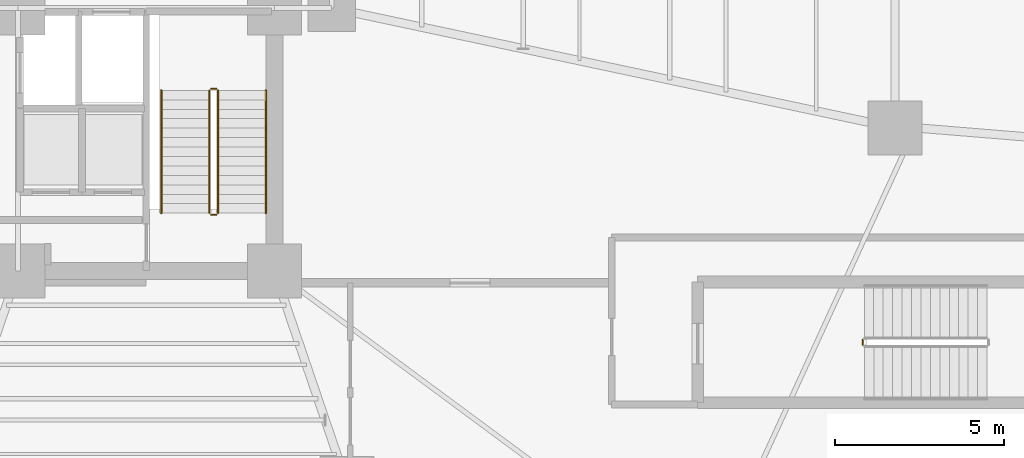
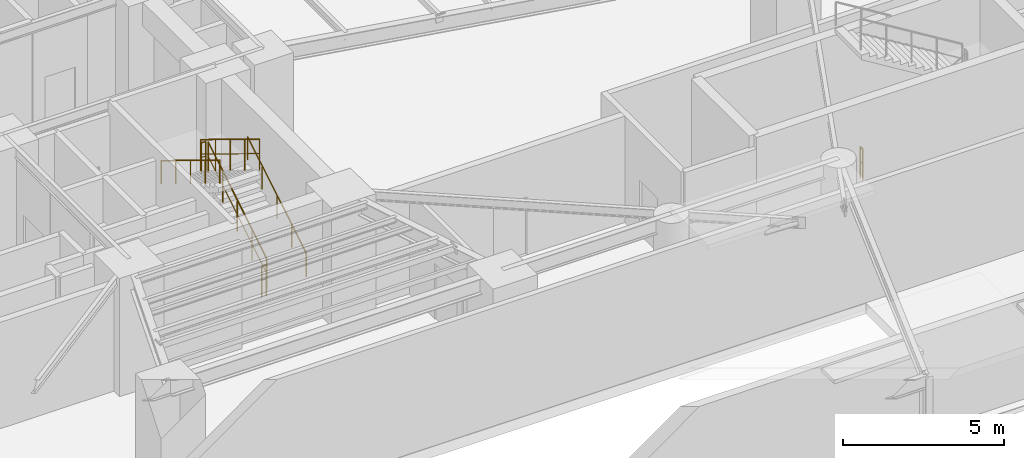
# One storey, part 24 of 31: 7 railings.
"""IFC4 building model written with IfcOpenShell, lengths in metres."""

import ifcopenshell
import ifcopenshell.guid

model = None  # the IFC model being written
_history = None  # IfcOwnerHistory: only IFC2X3 demands one
_inside = {}  # id of a spatial element -> (the spatial element, [elements in it])
_under = {}  # id of a project, library or spatial element -> (it, [spatial elements below it])
_declared = {}  # id of a project -> (the project, [libraries it declares])
_typed = {}  # id of a type object -> (the type object, [elements of that type])
_made_of = {}  # id of a material, layer set ... -> (it, [elements and type objects made of it])


def new_model(schema):
    """Start an empty IFC model of exactly this schema.

    Asked for "IFC4X3", IfcOpenShell would pick the latest addendum, in which some entities
    have other attributes; the version numbers below select the first issue.
    IFC2X3 requires an IfcOwnerHistory on every rooted entity: one is made here for all.
    """
    global model, _history
    if schema == "IFC4X3":
        model = ifcopenshell.file(schema_version=(4, 3, 0, 0))
    else:
        model = ifcopenshell.file(schema=schema)
    _inside.clear()
    _under.clear()
    _declared.clear()
    _typed.clear()
    _made_of.clear()
    _history = None
    if model.schema == "IFC2X3":
        org = make("IfcOrganization", Name="unknown")
        user = make(
            "IfcPersonAndOrganization",
            ThePerson=make("IfcPerson", FamilyName="unknown"),
            TheOrganization=org,
        )
        app = make(
            "IfcApplication",
            ApplicationDeveloper=org,
            Version="unknown",
            ApplicationFullName="unknown",
            ApplicationIdentifier="unknown",
        )
        _history = make(
            "IfcOwnerHistory",
            OwningUser=user,
            OwningApplication=app,
            ChangeAction="ADDED",
            CreationDate=0,
        )
    return model


def make(cls, **values):
    """One entity of the class cls with the attributes given. An attribute that is None is left unset."""
    return model.create_entity(
        cls, **{name: value for name, value in values.items() if value is not None}
    )


def rooted(cls, **values):
    """An entity with a GlobalId (a new one), such as an element, a storey or a relation."""
    return make(cls, GlobalId=ifcopenshell.guid.new(), OwnerHistory=_history, **values)


def si_unit(unit_type, name, prefix=None):
    """IfcSIUnit, for example si_unit("LENGTHUNIT", "METRE", prefix="MILLI")."""
    return make("IfcSIUnit", UnitType=unit_type, Prefix=prefix, Name=name)


def assignment(units):
    """IfcUnitAssignment: the units of a project."""
    return None if units is None else make("IfcUnitAssignment", Units=units)


def point(xyz):
    """IfcCartesianPoint."""
    return None if xyz is None else make("IfcCartesianPoint", Coordinates=xyz)


def direction(xyz):
    """IfcDirection."""
    return None if xyz is None else make("IfcDirection", DirectionRatios=xyz)


def frame(location, z_axis=None, x_axis=None):
    """IfcAxis2Placement3D, a coordinate frame: its origin and axes. An axis left out is left unset."""
    return make(
        "IfcAxis2Placement3D",
        Location=point(location),
        Axis=direction(z_axis),
        RefDirection=direction(x_axis),
    )


def frame_2d(location, x_axis=None):
    """IfcAxis2Placement2D, a coordinate frame in the plane: its origin and x axis."""
    return make(
        "IfcAxis2Placement2D", Location=point(location), RefDirection=direction(x_axis)
    )


def origin():
    """The frame at (0, 0, 0) with its axes left unset."""
    return frame((0.0, 0.0, 0.0))


def origin_2d():
    """The frame at (0, 0) in the plane with its x axis left unset."""
    return frame_2d((0.0, 0.0))


def place(relative_to, where):
    """IfcLocalPlacement: puts the frame where relative to a parent placement (None: the world)."""
    return make(
        "IfcLocalPlacement", PlacementRelTo=relative_to, RelativePlacement=where
    )


def context(
    kind, dimensions, precision=None, world=None, true_north=None, identifier=None
):
    """IfcGeometricRepresentationContext, for example the 3D "Model" context."""
    return make(
        "IfcGeometricRepresentationContext",
        ContextIdentifier=identifier,
        ContextType=kind,
        CoordinateSpaceDimension=dimensions,
        Precision=precision,
        WorldCoordinateSystem=world,
        TrueNorth=true_north,
    )


def subcontext(parent, identifier, kind, view, scale=None):
    """IfcGeometricRepresentationSubContext, for example "Body" below "Model"."""
    return make(
        "IfcGeometricRepresentationSubContext",
        ContextIdentifier=identifier,
        ContextType=kind,
        ParentContext=parent,
        TargetScale=scale,
        TargetView=view,
    )


def project(units=None, contexts=None):
    """IfcProject with its units and contexts."""
    return rooted(
        "IfcProject",
        Name="project",
        RepresentationContexts=contexts,
        UnitsInContext=assignment(units),
    )


def spatial(cls, under=None, at=None, **own):
    """A site, building, storey or space (cls), placed at a placement, below another one or the project."""
    s = rooted(cls, ObjectPlacement=at, **own)
    if under is not None:
        _under.setdefault(under.id(), (under, []))[1].append(s)
    return s


def profile(cls, at=None, kind="AREA", **sizes):
    """A parametric profile (cls). Its sizes go by their IFC names, for example OverallWidth=200.0."""
    return make(cls, ProfileType=kind, Position=at, **sizes)


def circle(**sizes):
    """IfcCircleProfileDef."""
    return profile("IfcCircleProfileDef", **sizes)


def extrude(swept, where, along, depth):
    """IfcExtrudedAreaSolid: the profile swept, set in the frame where, extruded along a direction by depth."""
    return make(
        "IfcExtrudedAreaSolid",
        SweptArea=swept,
        Position=where,
        ExtrudedDirection=direction(along),
        Depth=depth,
    )


def shape(context_of_items, identifier, shape_type, items):
    """IfcShapeRepresentation: the items that make up one representation, for example the "Body"."""
    return make(
        "IfcShapeRepresentation",
        ContextOfItems=context_of_items,
        RepresentationIdentifier=identifier,
        RepresentationType=shape_type,
        Items=items,
    )


def material(Name=None, Category=None):
    """IfcMaterial."""
    return make("IfcMaterial", Name=Name, Category=Category)


def made_of(thing, what):
    """Note that an element or type object is made of a material, layer set ...; save() writes the relation."""
    if what is not None:
        _made_of.setdefault(what.id(), (what, []))[1].append(thing)
    return thing


def type_object(cls, material=None, **own):
    """A type object (cls), such as IfcWallType, which elements share."""
    return made_of(rooted(cls, **own), material)


def element(
    cls,
    number,
    at=None,
    inside=None,
    cuts=None,
    type_object=None,
    material=None,
    context=None,
    identifier="Body",
    shape_type=None,
    held_by="IfcProductDefinitionShape",
    body=None,
    shapes=None,
    **own,
):
    """One element of the class cls, such as IfcWall. Its Tag is "e" and its number.

    at: its placement. inside: the storey or other place that contains it. cuts: it is an
    opening in that element (IfcRelVoidsElement). A single representation is given by context,
    identifier, shape_type and body (its items); several are given by shapes. held_by: the class
    of the entity that holds the representations. save() writes the other relations.
    """
    e = rooted(cls, Tag="e%d" % number, ObjectPlacement=at, **own)
    if body is not None:
        shapes = [shape(context, identifier, shape_type, body)]
    if shapes is not None:
        e.Representation = make(held_by, Representations=shapes)
    if inside is not None:
        _inside.setdefault(inside.id(), (inside, []))[1].append(e)
    if cuts is not None:
        rooted(
            "IfcRelVoidsElement", RelatingBuildingElement=cuts, RelatedOpeningElement=e
        )
    if type_object is not None:
        _typed.setdefault(type_object.id(), (type_object, []))[1].append(e)
    return made_of(e, material)


def aggregate(whole, parts):
    """IfcRelAggregates: a whole, such as a stair, and the parts it consists of."""
    return rooted("IfcRelAggregates", RelatingObject=whole, RelatedObjects=parts)


def save(model, path):
    """Write the relations noted so far, then the file.

    IfcRelAggregates (storeys below a building ...), IfcRelContainedInSpatialStructure (elements
    in a storey), IfcRelDefinesByType, IfcRelAssociatesMaterial and IfcRelDeclares: one each for
    every whole, place, type object, material and project.
    """
    for whole, parts in _under.values():
        aggregate(whole, parts)
    for where, things in _inside.values():
        rooted(
            "IfcRelContainedInSpatialStructure",
            RelatedElements=things,
            RelatingStructure=where,
        )
    for kind, things in _typed.values():
        rooted("IfcRelDefinesByType", RelatedObjects=things, RelatingType=kind)
    for what, things in _made_of.values():
        rooted("IfcRelAssociatesMaterial", RelatedObjects=things, RelatingMaterial=what)
    for by, libraries in _declared.values():
        rooted("IfcRelDeclares", RelatingContext=by, RelatedDefinitions=libraries)
    model.write(path)


model = new_model("IFC4")

# Units and contexts
model_context = context("Model", 3, precision=1e-05, world=origin(), true_north=direction((0.0, 1.0)))
body_context = subcontext(model_context, "Body", "Model", "MODEL_VIEW")
ifc_project = project(units=[si_unit("LENGTHUNIT", "METRE"), si_unit("AREAUNIT", "SQUARE_METRE"), si_unit("VOLUMEUNIT", "CUBIC_METRE"), si_unit("PLANEANGLEUNIT", "RADIAN"), si_unit("MASSUNIT", "GRAM", prefix="KILO")], contexts=[model_context])

# Site, building, storey
site_placement = place(None, origin())
site = spatial("IfcSite", under=ifc_project, at=site_placement, CompositionType="ELEMENT")
building_placement = place(site_placement, origin())
building = spatial("IfcBuilding", under=site, at=building_placement, Name="Sahyath Konkavel Grand Hotel", CompositionType="ELEMENT")
storey_placement = place(building_placement, origin())
storey = spatial("IfcBuildingStorey", under=building, at=storey_placement, Name="L00", CompositionType="ELEMENT", Elevation=0.0)

# Railings
ifc_material_1 = material(Name="Steel E350", Category="steel")
railing_type_1 = type_object("IfcRailingType", Name="RLG-STAIR-GRD", PredefinedType="GUARDRAIL", material=ifc_material_1)
railing_1_placement = place(storey_placement, frame((2.1298828125, -8.47998046875, 0.17138671875)))
element("IfcRailing", 1, at=railing_1_placement, inside=storey, type_object=railing_type_1, Name="L00 ST-2 stair guard 1", PredefinedType="GUARDRAIL", context=body_context, shape_type="SweptSolid", body=[
    extrude(circle(Radius=0.02392578125, at=origin_2d()), frame((0.0, 0.001708984375, 1.177001953125), z_axis=(0.0, 0.852850264322, 0.5221555579), x_axis=(-1.0, 0.0, 0.0)), (0.0, 0.0, 1.0), 4.263916015625),
    extrude(circle(Radius=0.01416015625, at=origin_2d()), frame((0.0, 0.001708984375, 0.625), z_axis=(0.0, 0.852850264322, 0.5221555579), x_axis=(-1.0, 0.0, 0.0)), (0.0, 0.0, 1.0), 4.263916015625),
    extrude(circle(Radius=0.02099609375, at=origin_2d()), origin(), (0.0, 0.0, 1.0), 1.15185546875),
    extrude(circle(Radius=0.02099609375, at=origin_2d()), frame((0.0, 0.909912109375, 0.55712890625)), (0.0, 0.0, 1.0), 1.15185546875),
    extrude(circle(Radius=0.02099609375, at=origin_2d()), frame((0.0, 1.81982421875, 1.1142578125)), (0.0, 0.0, 1.0), 1.15185546875),
    extrude(circle(Radius=0.02099609375, at=origin_2d()), frame((0.0, 2.72998046875, 1.67138671875)), (0.0, 0.0, 1.0), 1.15185546875),
    extrude(circle(Radius=0.02099609375, at=origin_2d()), frame((0.0, 3.639892578125, 2.228515625)), (0.0, 0.0, 1.0), 1.15185546875),
])
railing_2_placement = place(storey_placement, frame((2.080078125, -4.7900390625, 2.39990234375)))
element("IfcRailing", 2, at=railing_2_placement, inside=storey, type_object=railing_type_1, Name="L00 ST-2 stair guard 2", PredefinedType="GUARDRAIL", context=body_context, shape_type="SweptSolid", body=[
    extrude(circle(Radius=0.02392578125, at=origin_2d()), frame((-0.001953125, 0.0, 1.17578125), z_axis=(-1.0, 0.0, 0.0), x_axis=(0.0, -1.0, 0.0)), (0.0, 0.0, 1.0), 0.15625),
    extrude(circle(Radius=0.01416015625, at=origin_2d()), frame((-0.001953125, 0.0, 0.6240234375), z_axis=(-1.0, 0.0, 0.0), x_axis=(0.0, -1.0, 0.0)), (0.0, 0.0, 1.0), 0.15625),
    extrude(circle(Radius=0.02099609375, at=origin_2d()), origin(), (0.0, 0.0, 1.0), 1.15185546875),
    extrude(circle(Radius=0.02099609375, at=origin_2d()), frame((-0.16015625, 0.0, 0.0)), (0.0, 0.0, 1.0), 1.15185546875),
])
railing_3_placement = place(storey_placement, frame((1.8701171875, -4.840087890625, 2.571533203125)))
element("IfcRailing", 3, at=railing_3_placement, inside=storey, type_object=railing_type_1, Name="L00 ST-2 stair guard 3", PredefinedType="GUARDRAIL", context=body_context, shape_type="SweptSolid", body=[
    extrude(circle(Radius=0.02392578125, at=origin_2d()), frame((0.0, -0.001708984375, 1.177001953125), z_axis=(0.0, -0.852850264322, 0.5221555579), x_axis=(1.0, 0.0, 0.0)), (0.0, 0.0, 1.0), 4.263916015625),
    extrude(circle(Radius=0.01416015625, at=origin_2d()), frame((0.0, -0.001708984375, 0.625), z_axis=(0.0, -0.852850264322, 0.5221555579), x_axis=(1.0, 0.0, 0.0)), (0.0, 0.0, 1.0), 4.263916015625),
    extrude(circle(Radius=0.02099609375, at=origin_2d()), origin(), (0.0, 0.0, 1.0), 1.15185546875),
    extrude(circle(Radius=0.02099609375, at=origin_2d()), frame((0.0, -0.909912109375, 0.55712890625)), (0.0, 0.0, 1.0), 1.15185546875),
    extrude(circle(Radius=0.02099609375, at=origin_2d()), frame((0.0, -1.81982421875, 1.1142578125)), (0.0, 0.0, 1.0), 1.15185546875),
    extrude(circle(Radius=0.02099609375, at=origin_2d()), frame((0.0, -2.72998046875, 1.67138671875)), (0.0, 0.0, 1.0), 1.15185546875),
    extrude(circle(Radius=0.02099609375, at=origin_2d()), frame((0.0, -3.639892578125, 2.228515625)), (0.0, 0.0, 1.0), 1.15185546875),
])
railing_4_placement = place(storey_placement, frame((2.080078125, -8.530029296875, 0.0)))
element("IfcRailing", 4, at=railing_4_placement, inside=storey, type_object=railing_type_1, Name="L00 ST-2 stair guard 4", PredefinedType="GUARDRAIL", context=body_context, shape_type="SweptSolid", body=[
    extrude(circle(Radius=0.02392578125, at=origin_2d()), frame((-0.001953125, 0.0, 1.17578125), z_axis=(-1.0, 0.0, 0.0), x_axis=(0.0, -1.0, 0.0)), (0.0, 0.0, 1.0), 0.15625),
    extrude(circle(Radius=0.01416015625, at=origin_2d()), frame((-0.001953125, 0.0, 0.6240234375), z_axis=(-1.0, 0.0, 0.0), x_axis=(0.0, -1.0, 0.0)), (0.0, 0.0, 1.0), 0.15625),
    extrude(circle(Radius=0.02099609375, at=origin_2d()), origin(), (0.0, 0.0, 1.0), 1.15185546875),
    extrude(circle(Radius=0.02099609375, at=origin_2d()), frame((-0.16015625, 0.0, 0.0)), (0.0, 0.0, 1.0), 1.15185546875),
])
railing_5_placement = place(storey_placement, frame((21.239990234375, -12.389892578125, 0.0)))
element("IfcRailing", 5, at=railing_5_placement, inside=storey, type_object=railing_type_1, Name="L00 ST-P4 stair guard 4", PredefinedType="GUARDRAIL", context=body_context, shape_type="SweptSolid", body=[
    extrude(circle(Radius=0.02392578125, at=origin_2d()), frame((0.0, 0.001953125, 1.17578125), z_axis=(0.0, 1.0, 0.0), x_axis=(-1.0, 0.0, 0.0)), (0.0, 0.0, 1.0), 0.156005859375),
    extrude(circle(Radius=0.01416015625, at=origin_2d()), frame((0.0, 0.001953125, 0.6240234375), z_axis=(0.0, 1.0, 0.0), x_axis=(-1.0, 0.0, 0.0)), (0.0, 0.0, 1.0), 0.156005859375),
    extrude(circle(Radius=0.02099609375, at=origin_2d()), origin(), (0.0, 0.0, 1.0), 1.15185546875),
    extrude(circle(Radius=0.02099609375, at=origin_2d()), frame((0.0, 0.159912109375, 0.0)), (0.0, 0.0, 1.0), 1.15185546875),
])
ifc_material_2 = material(Name="Anodised Bronze Aluminium", Category="aluminium")
railing_type_2 = type_object("IfcRailingType", Name="RLG-STAIR-HND", PredefinedType="HANDRAIL", material=ifc_material_2)
railing_6_placement = place(storey_placement, frame((3.550048828125, -8.47998046875, 0.17138671875)))
element("IfcRailing", 6, at=railing_6_placement, inside=storey, type_object=railing_type_2, Name="L00 ST-2 stair handrail 1", PredefinedType="HANDRAIL", context=body_context, shape_type="SweptSolid", body=[
    extrude(circle(Radius=0.02392578125, at=origin_2d()), frame((0.0, 0.001708984375, 0.876953125), z_axis=(0.0, 0.852850264322, 0.5221555579), x_axis=(-1.0, 0.0, 0.0)), (0.0, 0.0, 1.0), 4.263916015625),
    extrude(circle(Radius=0.02099609375, at=origin_2d()), origin(), (0.0, 0.0, 1.0), 0.851806640625),
    extrude(circle(Radius=0.02099609375, at=origin_2d()), frame((0.0, 0.909912109375, 0.55712890625)), (0.0, 0.0, 1.0), 0.851806640625),
    extrude(circle(Radius=0.02099609375, at=origin_2d()), frame((0.0, 1.81982421875, 1.1142578125)), (0.0, 0.0, 1.0), 0.851806640625),
    extrude(circle(Radius=0.02099609375, at=origin_2d()), frame((0.0, 2.72998046875, 1.67138671875)), (0.0, 0.0, 1.0), 0.851806640625),
    extrude(circle(Radius=0.02099609375, at=origin_2d()), frame((0.0, 3.639892578125, 2.228515625)), (0.0, 0.0, 1.0), 0.851806640625),
])
railing_7_placement = place(storey_placement, frame((0.449951171875, -4.840087890625, 2.571533203125)))
element("IfcRailing", 7, at=railing_7_placement, inside=storey, type_object=railing_type_2, Name="L00 ST-2 stair handrail 2", PredefinedType="HANDRAIL", context=body_context, shape_type="SweptSolid", body=[
    extrude(circle(Radius=0.02392578125, at=origin_2d()), frame((0.0, -0.001708984375, 0.876953125), z_axis=(0.0, -0.852850264322, 0.5221555579), x_axis=(1.0, 0.0, 0.0)), (0.0, 0.0, 1.0), 4.263916015625),
    extrude(circle(Radius=0.02099609375, at=origin_2d()), origin(), (0.0, 0.0, 1.0), 0.851806640625),
    extrude(circle(Radius=0.02099609375, at=origin_2d()), frame((0.0, -0.909912109375, 0.55712890625)), (0.0, 0.0, 1.0), 0.851806640625),
    extrude(circle(Radius=0.02099609375, at=origin_2d()), frame((0.0, -1.81982421875, 1.1142578125)), (0.0, 0.0, 1.0), 0.851806640625),
    extrude(circle(Radius=0.02099609375, at=origin_2d()), frame((0.0, -2.72998046875, 1.67138671875)), (0.0, 0.0, 1.0), 0.851806640625),
    extrude(circle(Radius=0.02099609375, at=origin_2d()), frame((0.0, -3.639892578125, 2.228515625)), (0.0, 0.0, 1.0), 0.851806640625),
])

save(model, "model.ifc")
